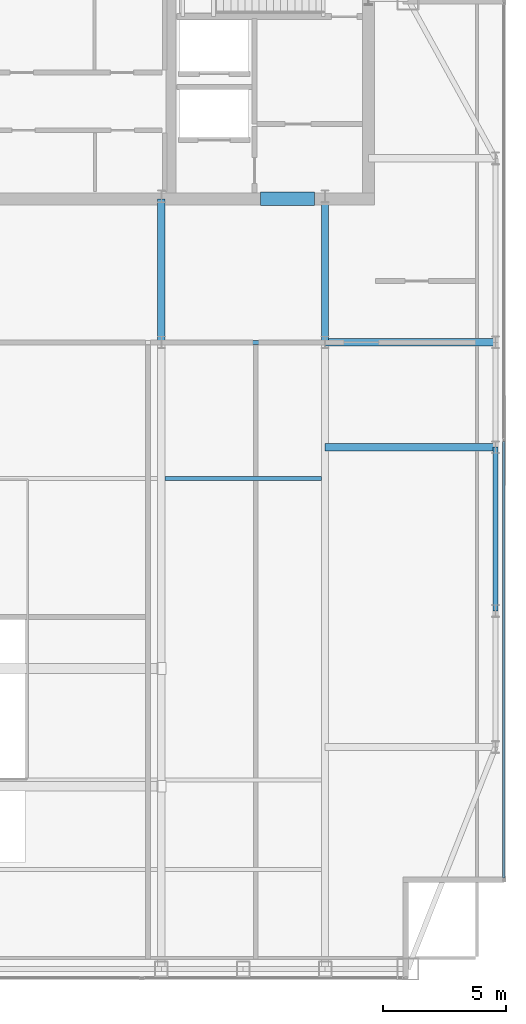
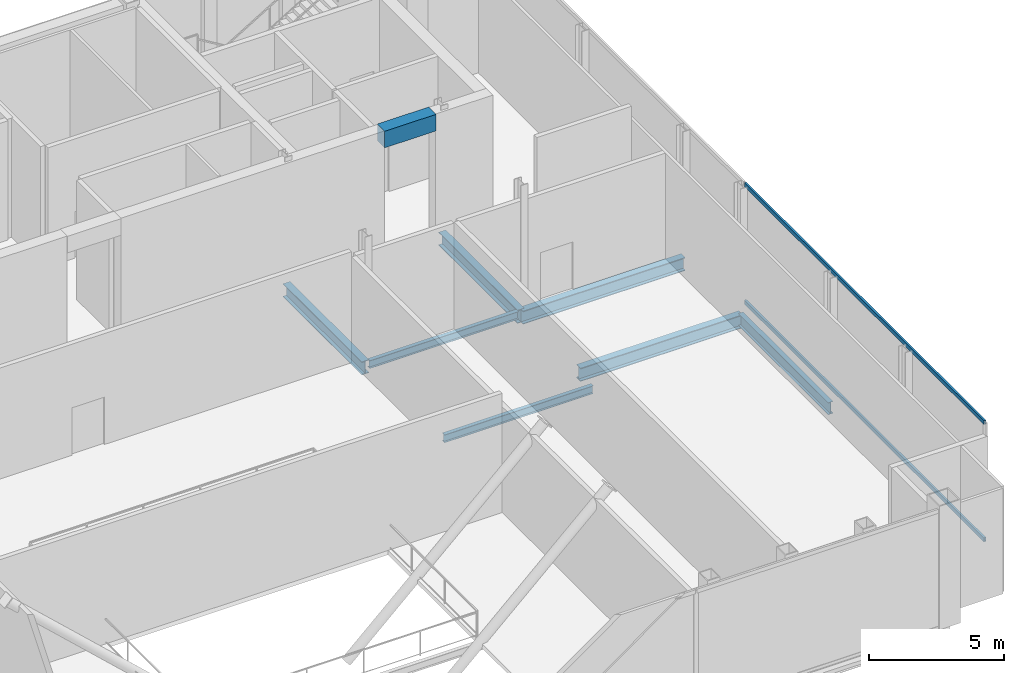
# One storey, part 14 of 23: 8 beams, 2 members, 1 element without a shape of its own.
"""IFC4 building model written with IfcOpenShell, lengths in metres."""

from ifc_helpers import new_model, si_unit, direction, frame, origin, origin_2d, place, context, subcontext, project, spatial, rectangle, hollow_rectangle, i_section, extrude, material, material_profile, profile_set, type_object, element, aggregate, save


model = new_model("IFC4")

# Units and contexts
model_context = context("Model", 3, precision=1e-05, world=origin(), true_north=direction((0.0, 1.0)))
body_context = subcontext(model_context, "Body", "Model", "MODEL_VIEW")
ifc_project = project(units=[si_unit("LENGTHUNIT", "METRE"), si_unit("AREAUNIT", "SQUARE_METRE"), si_unit("VOLUMEUNIT", "CUBIC_METRE"), si_unit("PLANEANGLEUNIT", "RADIAN"), si_unit("MASSUNIT", "GRAM", prefix="KILO")], contexts=[model_context])

# Site, building, storey
site_placement = place(None, origin())
site = spatial("IfcSite", under=ifc_project, at=site_placement, CompositionType="ELEMENT")
building_placement = place(site_placement, origin())
building = spatial("IfcBuilding", under=site, at=building_placement, Name="Khoronbel Lancet Exchange", CompositionType="ELEMENT")
storey_placement = place(building_placement, frame((0.0, 0.0, 356.199951171875)))
storey = spatial("IfcBuildingStorey", under=building, at=storey_placement, Name="L92", CompositionType="ELEMENT", Elevation=356.199951171875)

# Beams
ifc_material_1 = material(Name="Steel S355", Category="steel")
ifc_material_profile_1 = material_profile(ifc_material_1, i_section(OverallWidth=0.300048828125, OverallDepth=0.60009765625, WebThickness=0.015380859375, FlangeThickness=0.030029296875, at=origin_2d()), Name="HEB 600")
ifc_profile_set_1 = profile_set([ifc_material_profile_1], Name="Steel S355")
beam_type_1 = type_object("IfcBeamType", Name="BM-BG5", PredefinedType="BEAM", material=ifc_profile_set_1)
for number, where, z_axis, x_axis, name in (
    (1, (48.0, 35.699951171875, -0.5), (0.0, 1.0, 0.0), (-1.0, 0.0, 0.0), "Level L92 spine tie girder GN5"),
    (2, (54.675048828125, 35.699951171875, -0.5), (0.0, 1.0, 0.0), (-1.0, 0.0, 0.0), "Level L92 spine tie girder GN6"),
):
    element("IfcBeam", number, at=place(storey_placement, frame(where, z_axis=z_axis, x_axis=x_axis)), inside=storey, type_object=beam_type_1, Name=name, PredefinedType="BEAM", context=body_context, shape_type="SweptSolid", body=[
        extrude(i_section(OverallWidth=0.300048828125, OverallDepth=0.60009765625, WebThickness=0.015380859375, FlangeThickness=0.030029296875, at=origin_2d()), origin(), (0.0, 0.0, 1.0), 5.85009765625),
    ])
for number, where, z_axis, x_axis, name in (
    (3, (54.675048828125, 31.425048828125, -0.5), (1.0, 0.0, 0.0), (0.0, 1.0, 0.0), "Level L92 east lens tie girder LG2E"),
    (4, (54.675048828125, 35.699951171875, -0.5), (1.0, 0.0, 0.0), (0.0, 1.0, 0.0), "Level L92 east lens tie girder LG4E"),
):
    element("IfcBeam", number, at=place(storey_placement, frame(where, z_axis=z_axis, x_axis=x_axis)), inside=storey, type_object=beam_type_1, Name=name, PredefinedType="BEAM", context=body_context, shape_type="SweptSolid", body=[
        extrude(i_section(OverallWidth=0.300048828125, OverallDepth=0.60009765625, WebThickness=0.015380859375, FlangeThickness=0.030029296875, at=origin_2d()), origin(), (0.0, 0.0, 1.0), 6.954833984375),
    ])
ifc_material_profile_2 = material_profile(ifc_material_1, i_section(OverallWidth=0.169921875, OverallDepth=0.360107421875, WebThickness=0.008056640625, FlangeThickness=0.0126953125, at=origin_2d()), Name="IPE 360")
ifc_profile_set_2 = profile_set([ifc_material_profile_2], Name="Steel S355")
beam_type_2 = type_object("IfcBeamType", Name="BM-BJ6", PredefinedType="JOIST", material=ifc_profile_set_2)
for number, where, z_axis, x_axis, name in (
    (5, (48.14990234375, 30.14990234375, -0.3798828125), (1.0, 0.0, 0.0), (0.0, 1.0, 0.0), "Level L92 secondary composite joist J09"),
    (6, (48.14990234375, 35.699951171875, -0.3798828125), (1.0, 0.0, 0.0), (0.0, 1.0, 0.0), "Level L92 secondary composite joist J12"),
):
    element("IfcBeam", number, at=place(storey_placement, frame(where, z_axis=z_axis, x_axis=x_axis)), inside=storey, type_object=beam_type_2, Name=name, PredefinedType="JOIST", context=body_context, shape_type="SweptSolid", body=[
        extrude(i_section(OverallWidth=0.169921875, OverallDepth=0.360107421875, WebThickness=0.008056640625, FlangeThickness=0.0126953125, at=origin_2d()), origin(), (0.0, 0.0, 1.0), 6.375),
    ])
ifc_material_2 = material(Name="Concrete C60/75", Category="concrete")
ifc_material_profile_3 = material_profile(ifc_material_2, rectangle(XDim=0.550048828125, YDim=0.75, at=origin_2d()), Name="RC 550x750")
ifc_profile_set_3 = profile_set([ifc_material_profile_3], Name="Concrete C60/75")
beam_type_3 = type_object("IfcBeamType", Name="BM-BL2", PredefinedType="LINTEL", material=ifc_profile_set_3)
beam_1_placement = place(storey_placement, frame((52.050048828125, 41.550048828125, 5.025146484375), z_axis=(1.0, 0.0, 0.0), x_axis=(0.0, 1.0, 0.0)))
element("IfcBeam", 7, at=beam_1_placement, inside=storey, type_object=beam_type_3, Name="Level L92 rear core coupling lintel L4", PredefinedType="LINTEL", context=body_context, shape_type="SweptSolid", body=[
    extrude(rectangle(XDim=0.550048828125, YDim=0.75, at=origin_2d()), origin(), (0.0, 0.0, 1.0), 2.199951171875),
])
ifc_material_profile_4 = material_profile(ifc_material_1, i_section(OverallWidth=0.2099609375, OverallDepth=0.550048828125, WebThickness=0.010986328125, FlangeThickness=0.01708984375, at=origin_2d()), Name="IPE 550")
ifc_profile_set_4 = profile_set([ifc_material_profile_4], Name="Steel S355")
beam_type_4 = type_object("IfcBeamType", Name="BM-BSP3", PredefinedType="SPANDREL", material=ifc_profile_set_4)
beam_2_placement = place(storey_placement, frame((61.6298828125, 24.75, -0.474853515625), z_axis=(0.0, 1.0, 0.0), x_axis=(-1.0, 0.0, 0.0)))
element("IfcBeam", 8, at=beam_2_placement, inside=storey, type_object=beam_type_4, Name="Level L92 perimeter spandrel beam SP10", PredefinedType="SPANDREL", context=body_context, shape_type="SweptSolid", body=[
    extrude(i_section(OverallWidth=0.2099609375, OverallDepth=0.550048828125, WebThickness=0.010986328125, FlangeThickness=0.01708984375, at=origin_2d()), origin(), (0.0, 0.0, 1.0), 6.675048828125),
])

# Curtain wall, members
ifc_material_3 = material(Name="Low-E Solar Control Insulating Glass", Category="glass")
curtain_wall_type = type_object("IfcCurtainWallType", Name="CW-6", PredefinedType="NOTDEFINED", material=ifc_material_3)
curtain_wall_placement = place(storey_placement, origin())
curtain_wall = element("IfcCurtainWall", 9, at=curtain_wall_placement, inside=storey, type_object=curtain_wall_type, Name="Unitised curtain wall CW-L92-E09", PredefinedType="NOTDEFINED")
ifc_material_4 = material(Name="Bronze-Anodised Aluminium 6063-T6", Category="aluminium")
ifc_material_profile_5 = material_profile(ifc_material_4, hollow_rectangle(XDim=0.0849609375, YDim=0.179931640625, WallThickness=0.0048828125, at=origin_2d()), Name="ALU TRANSOM 85x180")
ifc_profile_set_5 = profile_set([ifc_material_profile_5], Name="Bronze-Anodised Aluminium 6063-T6")
member_type = type_object("IfcMemberType", Name="MEM-CWT1", PredefinedType="USERDEFINED", material=ifc_profile_set_5)
member_1_placement = place(storey_placement, frame((61.9599609375, 31.66259765625, 0.04248046875), z_axis=(0.0, -1.0, 0.0), x_axis=(1.0, 0.0, 0.0)))
member_1 = element("IfcMember", 10, at=member_1_placement, type_object=member_type, Name="CW6 transom 2.1", ObjectType="TRANSOM", PredefinedType="USERDEFINED", context=body_context, shape_type="SweptSolid", body=[
    extrude(hollow_rectangle(XDim=0.0849609375, YDim=0.179931640625, WallThickness=0.0048828125, at=origin_2d()), origin(), (0.0, 0.0, 1.0), 17.797607421875),
])
member_2_placement = place(storey_placement, frame((61.9599609375, 31.66259765625, 5.357666015625), z_axis=(0.0, -1.0, 0.0), x_axis=(1.0, 0.0, 0.0)))
member_2 = element("IfcMember", 11, at=member_2_placement, type_object=member_type, Name="CW6 transom 2.2", ObjectType="TRANSOM", PredefinedType="USERDEFINED", context=body_context, shape_type="SweptSolid", body=[
    extrude(hollow_rectangle(XDim=0.0849609375, YDim=0.179931640625, WallThickness=0.0048828125, at=origin_2d()), origin(), (0.0, 0.0, 1.0), 17.797607421875),
])
aggregate(curtain_wall, [member_1, member_2])

save(model, "model.ifc")
